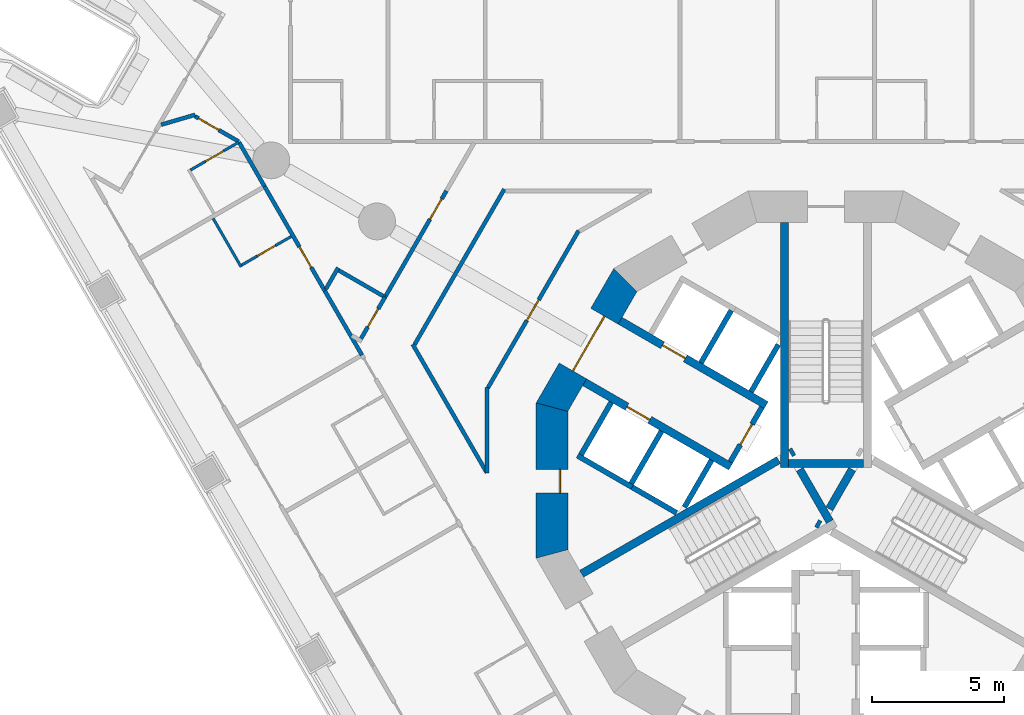
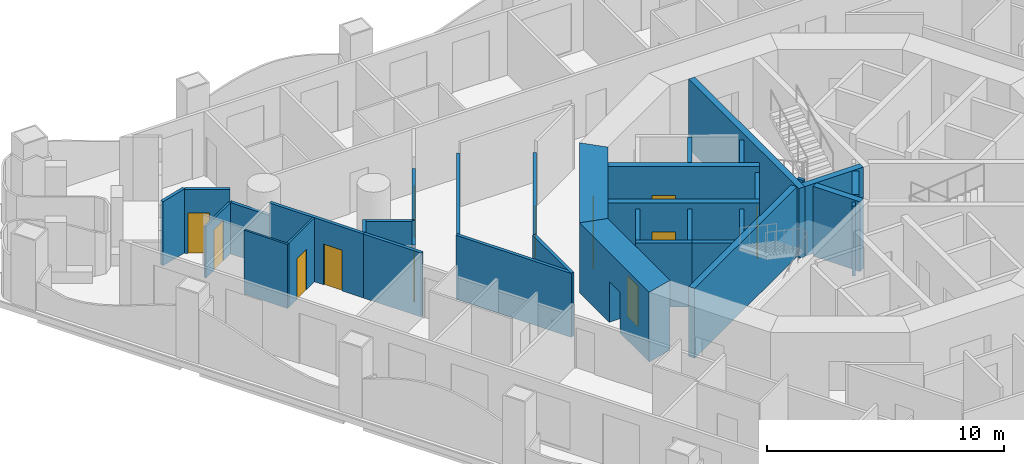
# One storey, part 6 of 19: 35 walls, 12 doors, 12 openings.
"""IFC4 building model written with IfcOpenShell, lengths in metres."""

from ifc_helpers import new_model, si_unit, direction, frame, frame_2d, origin, place, context, subcontext, project, spatial, polyline, rectangle, outline, extrude, material, layer, layer_set, type_object, element, fill, save


model = new_model("IFC4")

# Units and contexts
model_context = context("Model", 3, precision=1e-05, world=origin(), true_north=direction((0.0, 1.0)))
body_context = subcontext(model_context, "Body", "Model", "MODEL_VIEW")
ifc_project = project(units=[si_unit("LENGTHUNIT", "METRE"), si_unit("AREAUNIT", "SQUARE_METRE"), si_unit("VOLUMEUNIT", "CUBIC_METRE"), si_unit("PLANEANGLEUNIT", "RADIAN"), si_unit("MASSUNIT", "GRAM", prefix="KILO")], contexts=[model_context])

# Site, building, storey
site_placement = place(None, origin())
site = spatial("IfcSite", under=ifc_project, at=site_placement, CompositionType="ELEMENT")
building_placement = place(site_placement, origin())
building = spatial("IfcBuilding", under=site, at=building_placement, Name="Trine Commons Tower", CompositionType="ELEMENT")
storey_placement = place(building_placement, frame((0.0, 0.0, 31.5)))
storey = spatial("IfcBuildingStorey", under=building, at=storey_placement, Name="L06", CompositionType="ELEMENT", Elevation=31.5)

# Wall, opening, door
ifc_material_1 = material(Name="Fire-rated gypsum shaft wall system")
ifc_layer_1 = layer(ifc_material_1, 0.199951171875)
ifc_layer_set_1 = layer_set([ifc_layer_1], Name="Fire-rated gypsum shaft wall system")
wall_type_1 = type_object("IfcWallType", Name="Lobby end wall 200 mm, EI 120", PredefinedType="PARTITIONING", material=ifc_layer_set_1)
wall_1_placement = place(storey_placement, frame((77.569091796875, 65.2890625, 0.0), z_axis=(0.0, 0.0, 1.0), x_axis=(-0.50012165622, -0.865955154139, 0.0)))
wall_1 = element("IfcWall", 1, at=wall_1_placement, inside=storey, type_object=wall_type_1, Name="Lobby end wall L06", PredefinedType="PARTITIONING", context=body_context, shape_type="SweptSolid", body=[
    extrude(rectangle(XDim=2.39990234375, YDim=0.199951171875, at=frame_2d((1.199951171875, 0.0))), origin(), (0.0, 0.0, 1.0), 3.300048828125),
])
opening_1_placement = place(wall_1_placement, frame((0.749755859375, 0.0, 0.0)))
opening_1 = element("IfcOpeningElement", 2, at=opening_1_placement, cuts=wall_1, Name="Opening K05.07", PredefinedType="OPENING", context=body_context, shape_type="SweptSolid", body=[
    extrude(rectangle(XDim=0.89990234375, YDim=2.10009765625, at=frame_2d((0.449951171875, 1.050048828125))), frame((0.0, 0.10986328125, 0.0), z_axis=(0.0, -1.0, 0.0), x_axis=(1.0, 0.0, 0.0)), (0.0, 0.0, 1.0), 0.219970703125),
])
ifc_material_2 = material(Name="Steel door leaf, fire-rated", Category="steel")
door_type_1 = type_object("IfcDoorType", Name="Riser access door, single leaf 900 x 2100, FD60", OperationType="SINGLE_SWING_LEFT", PredefinedType="DOOR", material=ifc_material_2)
door_1_placement = place(opening_1_placement, frame((0.89990234375, 0.0, 0.0), z_axis=(0.0, 0.0, 1.0), x_axis=(-1.0, 0.0, 0.0)))
door_1 = element("IfcDoor", 3, at=door_1_placement, inside=storey, type_object=door_type_1, Name="Riser door, Mechanical riser L06", OperationType="SINGLE_SWING_RIGHT", OverallHeight=2.10009765625, OverallWidth=0.89990234375, PredefinedType="DOOR", context=body_context, shape_type="SweptSolid", body=[
    extrude(rectangle(XDim=0.89990234375, YDim=2.10009765625, at=frame_2d((0.449951171875, 1.050048828125))), frame((0.0, 0.02490234375, 0.0), z_axis=(0.0, -1.0, 0.0), x_axis=(1.0, 0.0, 0.0)), (0.0, 0.0, 1.0), 0.050048828125),
])
fill(opening_1, door_1)

ifc_material_3 = material(Name="Concrete C80/95", Category="concrete")
ifc_layer_2 = layer(ifc_material_3, 1.199951171875)
ifc_layer_set_2 = layer_set([ifc_layer_2], Name="Concrete C80/95")
wall_type_2 = type_object("IfcWallType", Name="RC shear wall 1200 mm, C80/95", PredefinedType="SHEAR", material=ifc_layer_set_2)
wall_2_placement = place(storey_placement, frame((72.45849609375, 70.260986328125, 0.0), z_axis=(0.0, 0.0, 1.0), x_axis=(-0.499979111662, -0.866037463336, 0.0)))
wall_2 = element("IfcWall", 4, at=wall_2_placement, inside=storey, type_object=wall_type_2, Name="Core wall CWA-06 L06", PredefinedType="SHEAR", context=body_context, shape_type="SweptSolid", body=[
    extrude(outline(polyline([(0.0, -0.60009765625), (5.901123046875, -0.60009765625), (5.57958984375, 0.60009765625), (0.321533203125, 0.60009765625), (0.0, -0.60009765625)])), origin(), (0.0, 0.0, 1.0), 3.60009765625),
])
opening_2_placement = place(wall_2_placement, frame((1.75048828125, 0.0, 0.0)))
opening_2 = element("IfcOpeningElement", 5, at=opening_2_placement, cuts=wall_2, Name="Opening K05.06", PredefinedType="OPENING", context=body_context, shape_type="SweptSolid", body=[
    extrude(rectangle(XDim=2.39990234375, YDim=2.10009765625, at=frame_2d((1.199951171875, 1.050048828125))), frame((0.0, 0.60986328125, 0.0), z_axis=(0.0, -1.0, 0.0), x_axis=(1.0, 0.0, 0.0)), (0.0, 0.0, 1.0), 1.219970703125),
])
ifc_material_4 = material(Name="Steel door leaves, fire-rated", Category="steel")
door_type_2 = type_object("IfcDoorType", Name="Lobby door, double leaf 2400 x 2100, FD60", OperationType="DOUBLE_DOOR_SINGLE_SWING", PredefinedType="DOOR", material=ifc_material_4)
door_2_placement = place(opening_2_placement, origin())
door_2 = element("IfcDoor", 6, at=door_2_placement, inside=storey, type_object=door_type_2, Name="Lobby door, Passenger lift lobby B L06", OperationType="DOUBLE_DOOR_SINGLE_SWING", OverallHeight=2.10009765625, OverallWidth=2.39990234375, PredefinedType="DOOR", context=body_context, shape_type="SweptSolid", body=[
    extrude(rectangle(XDim=2.39990234375, YDim=2.10009765625, at=frame_2d((1.199951171875, 1.050048828125))), frame((0.0, 0.02490234375, 0.0), z_axis=(0.0, -1.0, 0.0), x_axis=(1.0, 0.0, 0.0)), (0.0, 0.0, 1.0), 0.050048828125),
])
fill(opening_2, door_2)

wall_3_placement = place(storey_placement, frame((69.58837890625, 65.450439453125, 0.0), z_axis=(0.0, 0.0, 1.0), x_axis=(0.0, -1.0, 0.0)))
wall_3 = element("IfcWall", 7, at=wall_3_placement, inside=storey, type_object=wall_type_2, Name="Core wall CWA-07 L06", PredefinedType="SHEAR", context=body_context, shape_type="SweptSolid", body=[
    extrude(outline(polyline([(0.0, -0.60009765625), (5.90087890625, -0.60009765625), (5.57958984375, 0.60009765625), (0.321533203125, 0.60009765625), (0.0, -0.60009765625)])), origin(), (0.0, 0.0, 1.0), 3.60009765625),
])
opening_3_placement = place(wall_3_placement, frame((2.525390625, 0.0, 0.0)))
opening_3 = element("IfcOpeningElement", 8, at=opening_3_placement, cuts=wall_3, Name="Opening K05.13", PredefinedType="OPENING", context=body_context, shape_type="SweptSolid", body=[
    extrude(rectangle(XDim=0.89990234375, YDim=2.10009765625, at=frame_2d((0.449951171875, 1.050048828125))), frame((0.0, 0.60986328125, 0.0), z_axis=(0.0, -1.0, 0.0), x_axis=(1.0, 0.0, 0.0)), (0.0, 0.0, 1.0), 1.219970703125),
])
door_type_3 = type_object("IfcDoorType", Name="Core room door, single leaf 900 x 2100, FD30S", OperationType="SINGLE_SWING_LEFT", PredefinedType="DOOR", material=ifc_material_2)
door_3_placement = place(opening_3_placement, origin())
door_3 = element("IfcDoor", 9, at=door_3_placement, inside=storey, type_object=door_type_3, Name="Door to Pantry L06", OperationType="SINGLE_SWING_RIGHT", OverallHeight=2.10009765625, OverallWidth=0.89990234375, PredefinedType="DOOR", context=body_context, shape_type="SweptSolid", body=[
    extrude(rectangle(XDim=0.89990234375, YDim=2.10009765625, at=frame_2d((0.449951171875, 1.050048828125))), frame((0.0, 0.3251953125, 0.0), z_axis=(0.0, -1.0, 0.0), x_axis=(1.0, 0.0, 0.0)), (0.0, 0.0, 1.0), 0.050048828125),
])
fill(opening_3, door_3)

ifc_layer_3 = layer(ifc_material_3, 0.300048828125)
ifc_layer_set_3 = layer_set([ifc_layer_3], Name="Concrete C80/95")
wall_type_3 = type_object("IfcWallType", Name="RC shear wall 300 mm, C80/95", PredefinedType="SHEAR", material=ifc_layer_set_3)
wall_4_placement = place(storey_placement, frame((76.381103515625, 63.031005859375, 0.0), z_axis=(0.0, 0.0, 1.0), x_axis=(-0.866032150378, 0.499988314375, 0.0)))
wall_4 = element("IfcWall", 10, at=wall_4_placement, inside=storey, type_object=wall_type_3, Name="Core cross wall SWA-01 L06", PredefinedType="SHEAR", context=body_context, shape_type="SweptSolid", body=[
    extrude(rectangle(XDim=6.412353515625, YDim=0.300048828125, at=frame_2d((3.2060546875, 0.0))), origin(), (0.0, 0.0, 1.0), 3.60009765625),
])
opening_4_placement = place(wall_4_placement, frame((3.55029296875, 0.0, 0.0)))
opening_4 = element("IfcOpeningElement", 11, at=opening_4_placement, cuts=wall_4, Name="Opening LD3", PredefinedType="OPENING", context=body_context, shape_type="SweptSolid", body=[
    extrude(rectangle(XDim=1.0, YDim=2.10009765625, at=frame_2d((0.5, 1.050048828125))), frame((0.0, 0.159912109375, 0.0), z_axis=(0.0, -1.0, 0.0), x_axis=(1.0, 0.0, 0.0)), (0.0, 0.0, 1.0), 0.320068359375),
])
ifc_material_5 = material(Name="Stainless steel sliding door leaves", Category="steel")
door_type_4 = type_object("IfcDoorType", Name="Lift landing door, centre-opening sliding 1000 x 2100, FD90", OperationType="DOUBLE_DOOR_SLIDING", PredefinedType="DOOR", material=ifc_material_5)
door_4_placement = place(opening_4_placement, origin())
door_4 = element("IfcDoor", 12, at=door_4_placement, inside=storey, type_object=door_type_4, Name="Lift landing door LR3 L06", OperationType="DOUBLE_DOOR_SLIDING", OverallHeight=2.10009765625, OverallWidth=1.0, PredefinedType="DOOR", context=body_context, shape_type="SweptSolid", body=[
    extrude(rectangle(XDim=1.0, YDim=2.10009765625, at=frame_2d((0.5, 1.050048828125))), frame((0.0, 0.02490234375, 0.0), z_axis=(0.0, -1.0, 0.0), x_axis=(1.0, 0.0, 0.0)), (0.0, 0.0, 1.0), 0.050048828125),
])
fill(opening_4, door_4)

wall_5_placement = place(storey_placement, frame((77.73095703125, 65.368896484375, 0.0), z_axis=(0.0, 0.0, 1.0), x_axis=(-0.866022631842, 0.500004801114, 0.0)))
wall_5 = element("IfcWall", 13, at=wall_5_placement, inside=storey, type_object=wall_type_3, Name="Core cross wall SWA-02 L06", PredefinedType="SHEAR", context=body_context, shape_type="SweptSolid", body=[
    extrude(rectangle(XDim=6.412109375, YDim=0.300048828125, at=frame_2d((3.2060546875, 0.0))), origin(), (0.0, 0.0, 1.0), 3.60009765625),
])
opening_5_placement = place(wall_5_placement, frame((3.55029296875, 0.0, 0.0)))
opening_5 = element("IfcOpeningElement", 14, at=opening_5_placement, cuts=wall_5, Name="Opening LD4", PredefinedType="OPENING", context=body_context, shape_type="SweptSolid", body=[
    extrude(rectangle(XDim=1.0, YDim=2.10009765625, at=frame_2d((0.5, 1.050048828125))), frame((0.0, 0.159912109375, 0.0), z_axis=(0.0, -1.0, 0.0), x_axis=(1.0, 0.0, 0.0)), (0.0, 0.0, 1.0), 0.320068359375),
])
door_5_placement = place(opening_5_placement, origin())
door_5 = element("IfcDoor", 15, at=door_5_placement, inside=storey, type_object=door_type_4, Name="Lift landing door LR4 L06", OperationType="DOUBLE_DOOR_SLIDING", OverallHeight=2.10009765625, OverallWidth=1.0, PredefinedType="DOOR", context=body_context, shape_type="SweptSolid", body=[
    extrude(rectangle(XDim=1.0, YDim=2.10009765625, at=frame_2d((0.5, 1.050048828125))), frame((0.0, 0.02490234375, 0.0), z_axis=(0.0, -1.0, 0.0), x_axis=(1.0, 0.0, 0.0)), (0.0, 0.0, 1.0), 0.050048828125),
])
fill(opening_5, door_5)

# Walls
wall_6_placement = place(storey_placement, frame((78.199951171875, 63.280029296875, 0.0), z_axis=(0.0, 0.0, 1.0), x_axis=(-0.865965399159, -0.500103916661, 0.0)))
element("IfcWall", 16, at=wall_6_placement, inside=storey, type_object=wall_type_3, Name="Core cross wall SWA-07 L06", PredefinedType="SHEAR", context=body_context, shape_type="SweptSolid", body=[
    extrude(rectangle(XDim=8.642333984375, YDim=0.300048828125, at=frame_2d((4.3212890625, 0.0))), origin(), (0.0, 0.0, 1.0), 3.60009765625),
])
wall_7_placement = place(storey_placement, frame((78.425048828125, 63.0009765625, 0.0), z_axis=(0.0, 0.0, 1.0), x_axis=(0.0, 1.0, 0.0)))
element("IfcWall", 17, at=wall_7_placement, inside=storey, type_object=wall_type_3, Name="Core cross wall SWA-08 L06", PredefinedType="SHEAR", context=body_context, shape_type="SweptSolid", body=[
    extrude(rectangle(XDim=9.31103515625, YDim=0.300048828125, at=frame_2d((4.655517578125, 0.0))), origin(), (0.0, 0.0, 1.0), 3.60009765625),
])
wall_8_placement = place(storey_placement, frame((78.779052734375, 63.614013671875, 0.0), z_axis=(0.0, 0.0, 1.0), x_axis=(-0.867737973955, -0.497021939713, 0.0)))
element("IfcWall", 18, at=wall_8_placement, inside=storey, type_object=wall_type_3, Name="Core cross wall SWA-09 L06", PredefinedType="SHEAR", context=body_context, shape_type="SweptSolid", body=[
    extrude(rectangle(XDim=0.14892578125, YDim=0.300048828125, at=frame_2d((0.074462890625, 0.0))), origin(), (0.0, 0.0, 1.0), 3.60009765625),
])
wall_9_placement = place(storey_placement, frame((79.0029296875, 62.926025390625, 0.0), z_axis=(0.0, 0.0, 1.0), x_axis=(0.499965247104, -0.866045467449, 0.0)))
element("IfcWall", 19, at=wall_9_placement, inside=storey, type_object=wall_type_3, Name="Core cross wall SWA-10 L06", PredefinedType="SHEAR", context=body_context, shape_type="SweptSolid", body=[
    extrude(rectangle(XDim=2.292236328125, YDim=0.300048828125, at=frame_2d((1.14599609375, 0.0))), origin(), (0.0, 0.0, 1.0), 3.60009765625),
])
wall_10_placement = place(storey_placement, frame((79.64599609375, 60.885986328125, 0.0), z_axis=(0.0, 0.0, 1.0), x_axis=(0.867331893649, -0.497730234424, 0.0)))
element("IfcWall", 20, at=wall_10_placement, inside=storey, type_object=wall_type_3, Name="Core cross wall SWA-11 L06", PredefinedType="SHEAR", context=body_context, shape_type="SweptSolid", body=[
    extrude(rectangle(XDim=0.148681640625, YDim=0.300048828125, at=frame_2d((0.07421875, 0.0))), origin(), (0.0, 0.0, 1.0), 3.60009765625),
])
wall_11_placement = place(storey_placement, frame((80.1298828125, 61.424072265625, 0.0), z_axis=(0.0, 0.0, 1.0), x_axis=(0.500014901547, 0.866016800201, 0.0)))
element("IfcWall", 21, at=wall_11_placement, inside=storey, type_object=wall_type_3, Name="Core cross wall SWA-12 L06", PredefinedType="SHEAR", context=body_context, shape_type="SweptSolid", body=[
    extrude(rectangle(XDim=1.734375, YDim=0.300048828125, at=frame_2d((0.8671875, 0.0))), origin(), (0.0, 0.0, 1.0), 3.60009765625),
])
wall_12_placement = place(storey_placement, frame((81.425048828125, 63.15087890625, 0.0), z_axis=(0.0, 0.0, 1.0), x_axis=(-1.0, 0.0, 0.0)))
element("IfcWall", 22, at=wall_12_placement, inside=storey, type_object=wall_type_3, Name="Core cross wall SWA-16 L06", PredefinedType="SHEAR", context=body_context, shape_type="SweptSolid", body=[
    extrude(rectangle(XDim=2.85009765625, YDim=0.300048828125, at=frame_2d((1.425048828125, 0.0))), origin(), (0.0, 0.0, 1.0), 3.60009765625),
])
ifc_layer_4 = layer(ifc_material_1, 0.199951171875)
ifc_layer_set_4 = layer_set([ifc_layer_4], Name="Fire-rated gypsum shaft wall system")
wall_type_4 = type_object("IfcWallType", Name="Shaft wall 200 mm, EI 120", PredefinedType="PARTITIONING", material=ifc_layer_set_4)
wall_13_placement = place(storey_placement, frame((71.844970703125, 65.47607421875, 0.0), z_axis=(0.0, 0.0, 1.0), x_axis=(-0.500136062276, -0.86594683394, 0.0)))
element("IfcWall", 23, at=wall_13_placement, inside=storey, type_object=wall_type_4, Name="Shaft wall L06", PredefinedType="PARTITIONING", context=body_context, shape_type="SweptSolid", body=[
    extrude(rectangle(XDim=2.299072265625, YDim=0.199951171875, at=frame_2d((1.1494140625, 0.0))), origin(), (0.0, 0.0, 1.0), 3.300048828125),
])
wall_14_placement = place(storey_placement, frame((72.637939453125, 62.248046875, 0.0), z_axis=(0.0, 0.0, 1.0), x_axis=(-0.866177122335, 0.499737123639, 0.0)))
element("IfcWall", 24, at=wall_14_placement, inside=storey, type_object=wall_type_4, Name="Shaft wall L06", PredefinedType="PARTITIONING", context=body_context, shape_type="SweptSolid", body=[
    extrude(rectangle(XDim=2.401123046875, YDim=0.199951171875, at=frame_2d((1.20068359375, 0.0))), origin(), (0.0, 0.0, 1.0), 3.300048828125),
])
wall_15_placement = place(storey_placement, frame((73.7509765625, 64.3759765625, 0.0), z_axis=(0.0, 0.0, 1.0), x_axis=(-0.500136062276, -0.86594683394, 0.0)))
element("IfcWall", 25, at=wall_15_placement, inside=storey, type_object=wall_type_4, Name="Shaft wall L06", PredefinedType="PARTITIONING", context=body_context, shape_type="SweptSolid", body=[
    extrude(rectangle(XDim=2.299072265625, YDim=0.199951171875, at=frame_2d((1.1494140625, 0.0))), origin(), (0.0, 0.0, 1.0), 3.300048828125),
])
wall_16_placement = place(storey_placement, frame((74.324951171875, 61.27294921875, 0.0), z_axis=(0.0, 0.0, 1.0), x_axis=(-0.865780634835, 0.500423712812, 0.0)))
element("IfcWall", 26, at=wall_16_placement, inside=storey, type_object=wall_type_4, Name="Shaft wall L06", PredefinedType="PARTITIONING", context=body_context, shape_type="SweptSolid", body=[
    extrude(rectangle(XDim=1.948486328125, YDim=0.199951171875, at=frame_2d((0.97412109375, 0.0))), origin(), (0.0, 0.0, 1.0), 3.300048828125),
])
wall_17_placement = place(storey_placement, frame((75.2509765625, 66.97412109375, 0.0), z_axis=(0.0, 0.0, 1.0), x_axis=(0.500136062276, 0.86594683394, 0.0)))
element("IfcWall", 27, at=wall_17_placement, inside=storey, type_object=wall_type_4, Name="Shaft wall L06", PredefinedType="PARTITIONING", context=body_context, shape_type="SweptSolid", body=[
    extrude(rectangle(XDim=2.299072265625, YDim=0.199951171875, at=frame_2d((1.1494140625, 0.0))), origin(), (0.0, 0.0, 1.0), 3.300048828125),
])
wall_18_placement = place(storey_placement, frame((75.656005859375, 63.27587890625, 0.0), z_axis=(0.0, 0.0, 1.0), x_axis=(-0.500271688072, -0.86586848777, 0.0)))
element("IfcWall", 28, at=wall_18_placement, inside=storey, type_object=wall_type_4, Name="Shaft wall L06", PredefinedType="PARTITIONING", context=body_context, shape_type="SweptSolid", body=[
    extrude(rectangle(XDim=2.064697265625, YDim=0.199951171875, at=frame_2d((1.0322265625, 0.0))), origin(), (0.0, 0.0, 1.0), 3.300048828125),
])
wall_19_placement = place(storey_placement, frame((77.156005859375, 65.8740234375, 0.0), z_axis=(0.0, 0.0, 1.0), x_axis=(0.499865770674, 0.866102887253, 0.0)))
element("IfcWall", 29, at=wall_19_placement, inside=storey, type_object=wall_type_4, Name="Shaft wall L06", PredefinedType="PARTITIONING", context=body_context, shape_type="SweptSolid", body=[
    extrude(rectangle(XDim=2.064453125, YDim=0.199951171875, at=frame_2d((1.0322265625, 0.0))), origin(), (0.0, 0.0, 1.0), 3.300048828125),
])
ifc_material_6 = material(Name="Gypsum plasterboard on steel stud", Category="steel")
ifc_layer_5 = layer(ifc_material_6, 0.14990234375)
ifc_layer_set_5 = layer_set([ifc_layer_5], Name="Gypsum plasterboard on steel stud")
wall_type_5 = type_object("IfcWallType", Name="Unit and corridor wall 150 mm, EI 60", PredefinedType="PARTITIONING", material=ifc_layer_set_5)
wall_20_placement = place(storey_placement, frame((54.7353515625, 76.023193359375, 0.0), z_axis=(0.0, 0.0, 1.0), x_axis=(0.959684993382, 0.281077771226, 0.0)))
element("IfcWall", 30, at=wall_20_placement, inside=storey, type_object=wall_type_5, Name="Partition 002", PredefinedType="PARTITIONING", context=body_context, shape_type="SweptSolid", body=[
    extrude(rectangle(XDim=1.34814453125, YDim=0.14990234375, at=frame_2d((0.674072265625, 0.0))), origin(), (0.0, 0.0, 1.0), 3.300048828125),
])

# Wall, opening, door
wall_21_placement = place(storey_placement, frame((56.02197265625, 76.343505859375, 0.0), z_axis=(0.0, 0.0, 1.0), x_axis=(0.866179215651, -0.49973349535, 0.0)))
wall_21 = element("IfcWall", 31, at=wall_21_placement, inside=storey, type_object=wall_type_5, Name="Partition 005", PredefinedType="PARTITIONING", context=body_context, shape_type="SweptSolid", body=[
    extrude(rectangle(XDim=1.9140625, YDim=0.14990234375, at=frame_2d((0.95703125, 0.0))), origin(), (0.0, 0.0, 1.0), 3.300048828125),
])
opening_6_placement = place(wall_21_placement, frame((0.14990234375, 0.0, 0.0)))
opening_6 = element("IfcOpeningElement", 32, at=opening_6_placement, cuts=wall_21, Name="Opening D-1A33", PredefinedType="OPENING", context=body_context, shape_type="SweptSolid", body=[
    extrude(rectangle(XDim=0.89990234375, YDim=2.10009765625, at=frame_2d((0.449951171875, 1.050048828125))), frame((0.0, 0.0849609375, 0.0), z_axis=(0.0, -1.0, 0.0), x_axis=(1.0, 0.0, 0.0)), (0.0, 0.0, 1.0), 0.169921875),
])
ifc_material_7 = material(Name="Timber fire door set", Category="wood")
door_type_5 = type_object("IfcDoorType", Name="Bedroom door 900 x 2100, FD30S", OperationType="NOTDEFINED", PredefinedType="DOOR", material=ifc_material_7)
door_6_placement = place(opening_6_placement, frame((0.89990234375, 0.0, 0.0), z_axis=(0.0, 0.0, 1.0), x_axis=(-1.0, 0.0, 0.0)))
door_6 = element("IfcDoor", 33, at=door_6_placement, inside=storey, type_object=door_type_5, Name="Door D-1A33", OperationType="SINGLE_SWING_RIGHT", OverallHeight=2.10009765625, OverallWidth=0.89990234375, PredefinedType="DOOR", context=body_context, shape_type="SweptSolid", body=[
    extrude(rectangle(XDim=0.89990234375, YDim=2.10009765625, at=frame_2d((0.449951171875, 1.050048828125))), frame((0.0, 0.02490234375, 0.0), z_axis=(0.0, -1.0, 0.0), x_axis=(1.0, 0.0, 0.0)), (0.0, 0.0, 1.0), 0.050048828125),
])
fill(opening_6, door_6)

# Wall
wall_22_placement = place(storey_placement, frame((57.69091796875, 75.366943359375, 0.0), z_axis=(0.0, 0.0, 1.0), x_axis=(0.500090215447, -0.865973311606, 0.0)))
element("IfcWall", 34, at=wall_22_placement, inside=storey, type_object=wall_type_5, Name="Partition 008", PredefinedType="PARTITIONING", context=body_context, shape_type="SweptSolid", body=[
    extrude(rectangle(XDim=1.953857421875, YDim=0.14990234375, at=frame_2d((0.97705078125, 0.0))), origin(), (0.0, 0.0, 1.0), 2.64990234375),
])

# Wall, opening, door
wall_23_placement = place(storey_placement, frame((58.66796875, 73.675048828125, 0.0), z_axis=(0.0, 0.0, 1.0), x_axis=(0.499810170442, -0.866134974194, 0.0)))
wall_23 = element("IfcWall", 35, at=wall_23_placement, inside=storey, type_object=wall_type_5, Name="Partition 010", PredefinedType="PARTITIONING", context=body_context, shape_type="SweptSolid", body=[
    extrude(rectangle(XDim=4.577880859375, YDim=0.14990234375, at=frame_2d((2.2890625, 0.0))), origin(), (0.0, 0.0, 1.0), 3.300048828125),
])
opening_7_placement = place(wall_23_placement, frame((2.647705078125, 0.0, 0.0)))
opening_7 = element("IfcOpeningElement", 36, at=opening_7_placement, cuts=wall_23, Name="Opening D-1A32", PredefinedType="OPENING", context=body_context, shape_type="SweptSolid", body=[
    extrude(rectangle(XDim=0.89990234375, YDim=2.10009765625, at=frame_2d((0.449951171875, 1.050048828125))), frame((0.0, 0.0849609375, 0.0), z_axis=(0.0, -1.0, 0.0), x_axis=(1.0, 0.0, 0.0)), (0.0, 0.0, 1.0), 0.169921875),
])
door_7_placement = place(opening_7_placement, frame((0.89990234375, 0.0, 0.0), z_axis=(0.0, 0.0, 1.0), x_axis=(-1.0, 0.0, 0.0)))
door_7 = element("IfcDoor", 37, at=door_7_placement, inside=storey, type_object=door_type_5, Name="Door D-1A32", OperationType="SINGLE_SWING_LEFT", OverallHeight=2.10009765625, OverallWidth=0.89990234375, PredefinedType="DOOR", context=body_context, shape_type="SweptSolid", body=[
    extrude(rectangle(XDim=0.89990234375, YDim=2.10009765625, at=frame_2d((0.449951171875, 1.050048828125))), frame((0.0, 0.02490234375, 0.0), z_axis=(0.0, -1.0, 0.0), x_axis=(1.0, 0.0, 0.0)), (0.0, 0.0, 1.0), 0.050048828125),
])
fill(opening_7, door_7)

# Walls
wall_24_placement = place(storey_placement, frame((60.993408203125, 69.77490234375, 0.0), z_axis=(0.0, 0.0, 1.0), x_axis=(0.499692428125, 0.866202907681, 0.0)))
element("IfcWall", 38, at=wall_24_placement, inside=storey, type_object=wall_type_5, Name="Partition 015", PredefinedType="PARTITIONING", context=body_context, shape_type="SweptSolid", body=[
    extrude(rectangle(XDim=0.9384765625, YDim=0.14990234375, at=frame_2d((0.46923828125, 0.0))), origin(), (0.0, 0.0, 1.0), 3.300048828125),
])
wall_25_placement = place(storey_placement, frame((60.9560546875, 69.7099609375, 0.0), z_axis=(0.0, 0.0, 1.0), x_axis=(0.500313606915, -0.865844267022, 0.0)))
element("IfcWall", 39, at=wall_25_placement, inside=storey, type_object=wall_type_5, Name="Partition 016", PredefinedType="PARTITIONING", context=body_context, shape_type="SweptSolid", body=[
    extrude(rectangle(XDim=2.823974609375, YDim=0.14990234375, at=frame_2d((1.412109375, 0.0))), origin(), (0.0, 0.0, 1.0), 3.300048828125),
])
wall_26_placement = place(storey_placement, frame((61.489990234375, 70.485595703125, 0.0), z_axis=(0.0, 0.0, 1.0), x_axis=(0.866008926066, -0.500028539159, 0.0)))
element("IfcWall", 40, at=wall_26_placement, inside=storey, type_object=wall_type_5, Name="Partition 020", PredefinedType="PARTITIONING", context=body_context, shape_type="SweptSolid", body=[
    extrude(rectangle(XDim=2.025390625, YDim=0.14990234375, at=frame_2d((1.0126953125, 0.0))), origin(), (0.0, 0.0, 1.0), 3.300048828125),
])

# Wall, opening, door
wall_27_placement = place(storey_placement, frame((62.32958984375, 67.889892578125, 0.0), z_axis=(0.0, 0.0, 1.0), x_axis=(0.500295360516, 0.865854810142, 0.0)))
wall_27 = element("IfcWall", 41, at=wall_27_placement, inside=storey, type_object=wall_type_5, Name="Partition 024", PredefinedType="PARTITIONING", context=body_context, shape_type="SweptSolid", body=[
    extrude(rectangle(XDim=1.83203125, YDim=0.14990234375, at=frame_2d((0.916015625, 0.0))), origin(), (0.0, 0.0, 1.0), 3.300048828125),
])
opening_8_placement = place(wall_27_placement, frame((0.51416015625, 0.0, 0.0)))
opening_8 = element("IfcOpeningElement", 42, at=opening_8_placement, cuts=wall_27, Name="Opening D-1A06", PredefinedType="OPENING", context=body_context, shape_type="SweptSolid", body=[
    extrude(rectangle(XDim=0.800048828125, YDim=2.10009765625, at=frame_2d((0.39990234375, 1.050048828125))), frame((0.0, 0.0849609375, 0.0), z_axis=(0.0, -1.0, 0.0), x_axis=(1.0, 0.0, 0.0)), (0.0, 0.0, 1.0), 0.169921875),
])
ifc_material_8 = material(Name="Painted timber", Category="wood")
door_type_6 = type_object("IfcDoorType", Name="Toilet door 800 x 2100, NOT RATED", OperationType="NOTDEFINED", PredefinedType="DOOR", material=ifc_material_8)
door_8_placement = place(opening_8_placement, origin())
door_8 = element("IfcDoor", 43, at=door_8_placement, inside=storey, type_object=door_type_6, Name="Door D-1A06", OperationType="SINGLE_SWING_LEFT", OverallHeight=2.10009765625, OverallWidth=0.800048828125, PredefinedType="DOOR", context=body_context, shape_type="SweptSolid", body=[
    extrude(rectangle(XDim=0.800048828125, YDim=2.10009765625, at=frame_2d((0.39990234375, 1.050048828125))), frame((0.0, 0.02490234375, 0.0), z_axis=(0.0, -1.0, 0.0), x_axis=(1.0, 0.0, 0.0)), (0.0, 0.0, 1.0), 0.050048828125),
])
fill(opening_8, door_8)

wall_28_placement = place(storey_placement, frame((63.24609375, 69.47607421875, 0.0), z_axis=(0.0, 0.0, 1.0), x_axis=(0.500135267133, 0.865947293182, 0.0)))
wall_28 = element("IfcWall", 44, at=wall_28_placement, inside=storey, type_object=wall_type_5, Name="Partition 027", PredefinedType="PARTITIONING", context=body_context, shape_type="SweptSolid", body=[
    extrude(rectangle(XDim=4.658447265625, YDim=0.14990234375, at=frame_2d((2.3291015625, 0.0))), origin(), (0.0, 0.0, 1.0), 2.699951171875),
])
opening_9_placement = place(wall_28_placement, frame((3.4140625, 0.0, 0.0)))
opening_9 = element("IfcOpeningElement", 45, at=opening_9_placement, cuts=wall_28, Name="Opening D-1A03", PredefinedType="OPENING", context=body_context, shape_type="SweptSolid", body=[
    extrude(rectangle(XDim=0.89990234375, YDim=2.10009765625, at=frame_2d((0.449951171875, 1.050048828125))), frame((0.0, 0.0849609375, 0.0), z_axis=(0.0, -1.0, 0.0), x_axis=(1.0, 0.0, 0.0)), (0.0, 0.0, 1.0), 0.169921875),
])
door_type_7 = type_object("IfcDoorType", Name="Cluster entrance door 900 x 2100, FD30S", OperationType="NOTDEFINED", PredefinedType="DOOR", material=ifc_material_7)
door_9_placement = place(opening_9_placement, origin())
door_9 = element("IfcDoor", 46, at=door_9_placement, inside=storey, type_object=door_type_7, Name="Door D-1A03", OperationType="SINGLE_SWING_RIGHT", OverallHeight=2.10009765625, OverallWidth=0.89990234375, PredefinedType="DOOR", context=body_context, shape_type="SweptSolid", body=[
    extrude(rectangle(XDim=0.89990234375, YDim=2.10009765625, at=frame_2d((0.449951171875, 1.050048828125))), frame((0.0, 0.02490234375, 0.0), z_axis=(0.0, -1.0, 0.0), x_axis=(1.0, 0.0, 0.0)), (0.0, 0.0, 1.0), 0.050048828125),
])
fill(opening_9, door_9)

# Walls
wall_29_placement = place(storey_placement, frame((64.29638671875, 67.676025390625, 0.0), z_axis=(0.0, 0.0, 1.0), x_axis=(0.499975045044, -0.866039811056, 0.0)))
element("IfcWall", 47, at=wall_29_placement, inside=storey, type_object=wall_type_5, Name="Partition 029", PredefinedType="PARTITIONING", context=body_context, shape_type="SweptSolid", body=[
    extrude(rectangle(XDim=5.633544921875, YDim=0.14990234375, at=frame_2d((2.81689453125, 0.0))), origin(), (0.0, 0.0, 1.0), 3.300048828125),
])
wall_30_placement = place(storey_placement, frame((64.37158203125, 67.676025390625, 0.0), z_axis=(0.0, 0.0, 1.0), x_axis=(0.500011931275, 0.86601851515, 0.0)))
element("IfcWall", 48, at=wall_30_placement, inside=storey, type_object=wall_type_5, Name="Partition 030", PredefinedType="PARTITIONING", context=body_context, shape_type="SweptSolid", body=[
    extrude(rectangle(XDim=6.813720703125, YDim=0.14990234375, at=frame_2d((3.40673828125, 0.0))), origin(), (0.0, 0.0, 1.0), 2.699951171875),
])
wall_31_placement = place(storey_placement, frame((67.113037109375, 62.79296875, 0.0), z_axis=(0.0, 0.0, 1.0), x_axis=(0.0, 1.0, 0.0)))
element("IfcWall", 49, at=wall_31_placement, inside=storey, type_object=wall_type_5, Name="Partition 038", PredefinedType="PARTITIONING", context=body_context, shape_type="SweptSolid", body=[
    extrude(rectangle(XDim=3.235107421875, YDim=0.14990234375, at=frame_2d((1.61767578125, 0.0))), origin(), (0.0, 0.0, 1.0), 3.300048828125),
])

# Wall, opening, door
wall_32_placement = place(storey_placement, frame((67.150390625, 66.01806640625, 0.0), z_axis=(0.0, 0.0, 1.0), x_axis=(0.50000193825, 0.866024284732, 0.0)))
wall_32 = element("IfcWall", 50, at=wall_32_placement, inside=storey, type_object=wall_type_5, Name="Partition 039", PredefinedType="PARTITIONING", context=body_context, shape_type="SweptSolid", body=[
    extrude(rectangle(XDim=6.90625, YDim=0.14990234375, at=frame_2d((3.453125, 0.0))), origin(), (0.0, 0.0, 1.0), 2.699951171875),
])
opening_10_placement = place(wall_32_placement, frame((2.965576171875, 0.0, 0.0)))
opening_10 = element("IfcOpeningElement", 51, at=opening_10_placement, cuts=wall_32, Name="Opening D-1A34", PredefinedType="OPENING", context=body_context, shape_type="SweptSolid", body=[
    extrude(rectangle(XDim=0.89990234375, YDim=2.10009765625, at=frame_2d((0.449951171875, 1.050048828125))), frame((0.0, 0.0849609375, 0.0), z_axis=(0.0, -1.0, 0.0), x_axis=(1.0, 0.0, 0.0)), (0.0, 0.0, 1.0), 0.169921875),
])
door_type_8 = type_object("IfcDoorType", Name="Service door 900 x 2100, FD30S", OperationType="NOTDEFINED", PredefinedType="DOOR", material=ifc_material_7)
door_10_placement = place(opening_10_placement, origin())
door_10 = element("IfcDoor", 52, at=door_10_placement, inside=storey, type_object=door_type_8, Name="Door D-1A34", OperationType="SINGLE_SWING_LEFT", OverallHeight=2.10009765625, OverallWidth=0.89990234375, PredefinedType="DOOR", context=body_context, shape_type="SweptSolid", body=[
    extrude(rectangle(XDim=0.89990234375, YDim=2.10009765625, at=frame_2d((0.449951171875, 1.050048828125))), frame((0.0, 0.02490234375, 0.0), z_axis=(0.0, -1.0, 0.0), x_axis=(1.0, 0.0, 0.0)), (0.0, 0.0, 1.0), 0.050048828125),
])
fill(opening_10, door_10)

ifc_layer_6 = layer(ifc_material_6, 0.10009765625)
ifc_layer_set_6 = layer_set([ifc_layer_6], Name="Gypsum plasterboard on steel stud")
wall_type_6 = type_object("IfcWallType", Name="Unit partition 100 mm, no rating", PredefinedType="PARTITIONING", material=ifc_layer_set_6)
wall_33_placement = place(storey_placement, frame((55.848388671875, 74.299072265625, 0.0), z_axis=(0.0, 0.0, 1.0), x_axis=(0.866048165231, 0.499960573946, 0.0)))
wall_33 = element("IfcWall", 53, at=wall_33_placement, inside=storey, type_object=wall_type_6, Name="Partition 004", PredefinedType="PARTITIONING", context=body_context, shape_type="SweptSolid", body=[
    extrude(rectangle(XDim=2.130126953125, YDim=0.10009765625, at=frame_2d((1.06494140625, 0.0))), origin(), (0.0, 0.0, 1.0), 2.64990234375),
])
opening_11_placement = place(wall_33_placement, frame((0.6650390625, 0.0, 0.0)))
opening_11 = element("IfcOpeningElement", 54, at=opening_11_placement, cuts=wall_33, Name="Opening D-1A65", PredefinedType="OPENING", context=body_context, shape_type="SweptSolid", body=[
    extrude(rectangle(XDim=0.800048828125, YDim=2.10009765625, at=frame_2d((0.39990234375, 1.050048828125))), frame((0.0, 0.06005859375, 0.0), z_axis=(0.0, -1.0, 0.0), x_axis=(1.0, 0.0, 0.0)), (0.0, 0.0, 1.0), 0.1201171875),
])
door_type_9 = type_object("IfcDoorType", Name="Internal door 800 x 2100, NOT RATED", OperationType="NOTDEFINED", PredefinedType="DOOR", material=ifc_material_8)
door_11_placement = place(opening_11_placement, origin())
door_11 = element("IfcDoor", 55, at=door_11_placement, inside=storey, type_object=door_type_9, Name="Door D-1A65", OperationType="SINGLE_SWING_RIGHT", OverallHeight=2.10009765625, OverallWidth=0.800048828125, PredefinedType="DOOR", context=body_context, shape_type="SweptSolid", body=[
    extrude(rectangle(XDim=0.800048828125, YDim=2.10009765625, at=frame_2d((0.39990234375, 1.050048828125))), frame((0.0, 0.02490234375, 0.0), z_axis=(0.0, -1.0, 0.0), x_axis=(1.0, 0.0, 0.0)), (0.0, 0.0, 1.0), 0.050048828125),
])
fill(opening_11, door_11)

# Wall
wall_34_placement = place(storey_placement, frame((56.71337890625, 72.4599609375, 0.0), z_axis=(0.0, 0.0, 1.0), x_axis=(0.499994284652, -0.866028703517, 0.0)))
element("IfcWall", 56, at=wall_34_placement, inside=storey, type_object=wall_type_6, Name="Partition 006", PredefinedType="PARTITIONING", context=body_context, shape_type="SweptSolid", body=[
    extrude(rectangle(XDim=2.125, YDim=0.10009765625, at=frame_2d((1.0625, 0.0))), origin(), (0.0, 0.0, 1.0), 3.300048828125),
])

# Wall, opening, door
wall_35_placement = place(storey_placement, frame((57.794189453125, 70.68798828125, 0.0), z_axis=(0.0, 0.0, 1.0), x_axis=(0.866065968399, 0.499929733443, 0.0)))
wall_35 = element("IfcWall", 57, at=wall_35_placement, inside=storey, type_object=wall_type_6, Name="Partition 009", PredefinedType="PARTITIONING", context=body_context, shape_type="SweptSolid", body=[
    extrude(rectangle(XDim=2.175048828125, YDim=0.10009765625, at=frame_2d((1.08740234375, 0.0))), origin(), (0.0, 0.0, 1.0), 3.300048828125),
])
opening_12_placement = place(wall_35_placement, frame((0.6875, 0.0, 0.0)))
opening_12 = element("IfcOpeningElement", 58, at=opening_12_placement, cuts=wall_35, Name="Opening D-1A64", PredefinedType="OPENING", context=body_context, shape_type="SweptSolid", body=[
    extrude(rectangle(XDim=0.800048828125, YDim=2.10009765625, at=frame_2d((0.39990234375, 1.050048828125))), frame((0.0, 0.06005859375, 0.0), z_axis=(0.0, -1.0, 0.0), x_axis=(1.0, 0.0, 0.0)), (0.0, 0.0, 1.0), 0.1201171875),
])
door_12_placement = place(opening_12_placement, frame((0.800048828125, 0.0, 0.0), z_axis=(0.0, 0.0, 1.0), x_axis=(-1.0, 0.0, 0.0)))
door_12 = element("IfcDoor", 59, at=door_12_placement, inside=storey, type_object=door_type_9, Name="Door D-1A64", OperationType="SINGLE_SWING_LEFT", OverallHeight=2.10009765625, OverallWidth=0.800048828125, PredefinedType="DOOR", context=body_context, shape_type="SweptSolid", body=[
    extrude(rectangle(XDim=0.800048828125, YDim=2.10009765625, at=frame_2d((0.39990234375, 1.050048828125))), frame((0.0, 0.02490234375, 0.0), z_axis=(0.0, -1.0, 0.0), x_axis=(1.0, 0.0, 0.0)), (0.0, 0.0, 1.0), 0.050048828125),
])
fill(opening_12, door_12)

save(model, "model.ifc")
